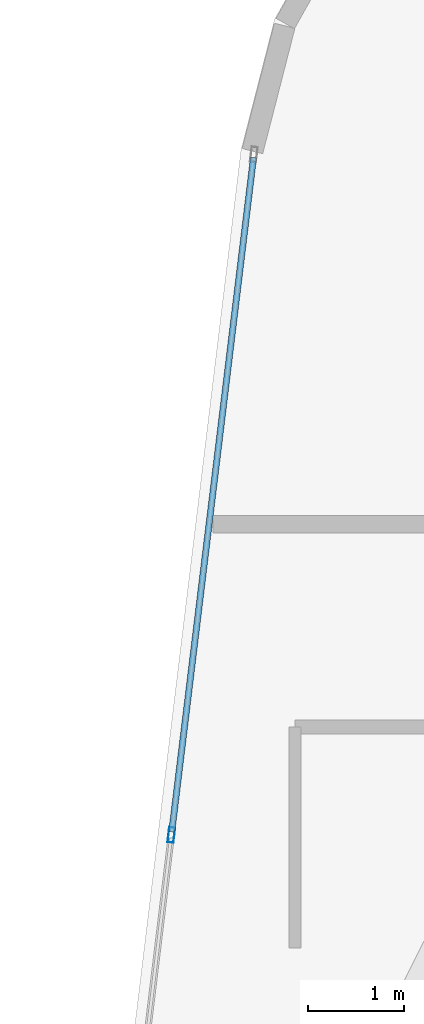
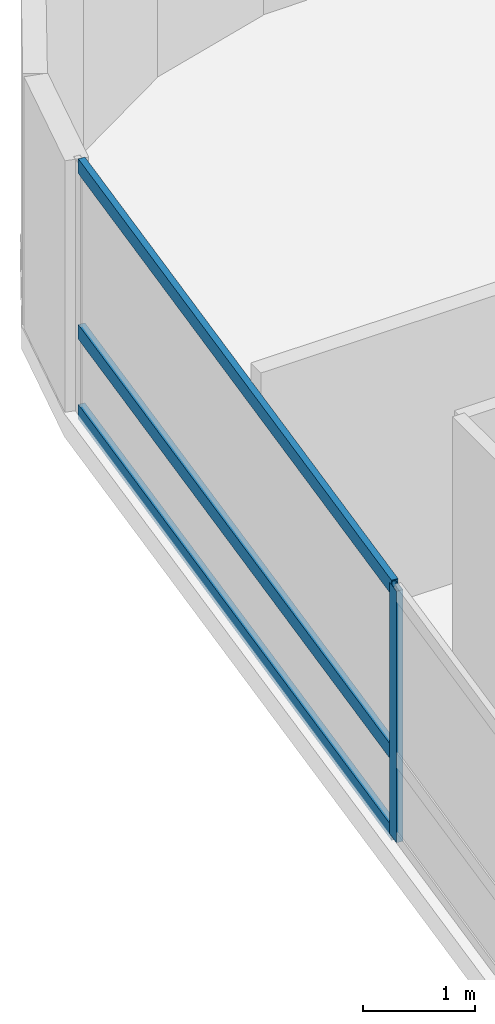
# One storey, part 10 of 26: 4 members, 1 element without a shape of its own.
"""IFC4 building model written with IfcOpenShell, lengths in metres."""

from ifc_helpers import new_model, si_unit, direction, frame, origin, origin_2d, place, context, subcontext, project, spatial, hollow_rectangle, extrude, material, layer, layer_set, material_profile, profile_set, type_object, element, aggregate, save


model = new_model("IFC4")

# Units and contexts
model_context = context("Model", 3, precision=1e-05, world=origin(), true_north=direction((0.0, 1.0)))
body_context = subcontext(model_context, "Body", "Model", "MODEL_VIEW")
ifc_project = project(units=[si_unit("LENGTHUNIT", "METRE"), si_unit("AREAUNIT", "SQUARE_METRE"), si_unit("VOLUMEUNIT", "CUBIC_METRE"), si_unit("PLANEANGLEUNIT", "RADIAN"), si_unit("MASSUNIT", "GRAM", prefix="KILO")], contexts=[model_context])

# Site, building, storey
site_placement = place(None, origin())
site = spatial("IfcSite", under=ifc_project, at=site_placement, CompositionType="ELEMENT")
building_placement = place(site_placement, origin())
building = spatial("IfcBuilding", under=site, at=building_placement, Name="Varnelok Gate Tower", CompositionType="ELEMENT")
storey_placement = place(building_placement, frame((0.0, 0.0, 155.0)))
storey = spatial("IfcBuildingStorey", under=building, at=storey_placement, Name="L39", CompositionType="ELEMENT", Elevation=155.0)

# Curtain wall, members
ifc_material = material(Name="Anodized Aluminum Alloy 6063-T6", Category="aluminium")
ifc_layer = layer(ifc_material, 0.179931640625)
ifc_layer_set = layer_set([ifc_layer], Name="Anodized Aluminum Alloy 6063-T6")
curtain_wall_type = type_object("IfcCurtainWallType", Name="CW3-HOTEL-VISION", PredefinedType="USERDEFINED", material=ifc_layer_set)
curtain_wall_placement = place(storey_placement, origin())
curtain_wall = element("IfcCurtainWall", 1, at=curtain_wall_placement, inside=storey, type_object=curtain_wall_type, Name="L39 West End Vision Curtain Wall", ObjectType="UNITISED CURTAIN WALL", PredefinedType="USERDEFINED")
ifc_material_profile_1 = material_profile(ifc_material, hollow_rectangle(XDim=0.06494140625, YDim=0.159912109375, WallThickness=0.00390625, at=origin_2d()), Name="ALU160X65X4")
ifc_profile_set_1 = profile_set([ifc_material_profile_1], Name="Anodized Aluminum Alloy 6063-T6")
member_type_1 = type_object("IfcMemberType", Name="CW-MULL-160", PredefinedType="MULLION", material=ifc_profile_set_1)
member_1_placement = place(storey_placement, frame((3.708984375, 40.4814453125, 0.0), z_axis=(0.0, 0.0, 1.0), x_axis=(-0.99273188146, 0.120347046212, 0.0)))
member_1 = element("IfcMember", 2, at=member_1_placement, type_object=member_type_1, Name="CW3 mullion 5", PredefinedType="MULLION", context=body_context, shape_type="SweptSolid", body=[
    extrude(hollow_rectangle(XDim=0.06494140625, YDim=0.159912109375, WallThickness=0.00390625, at=origin_2d()), origin(), (0.0, 0.0, 1.0), 2.72998046875),
])
ifc_material_profile_2 = material_profile(ifc_material, hollow_rectangle(XDim=0.06494140625, YDim=0.159912109375, WallThickness=0.00390625, at=origin_2d()), Name="ALU160X65X4")
ifc_profile_set_2 = profile_set([ifc_material_profile_2], Name="Anodized Aluminum Alloy 6063-T6")
member_type_2 = type_object("IfcMemberType", Name="CW-TRAN-160", PredefinedType="USERDEFINED", material=ifc_profile_set_2)
member_2_placement = place(storey_placement, frame((3.712890625, 40.513671875, 0.032470703125), z_axis=(0.120374481497, 0.992728555147, 0.0), x_axis=(-0.992728555147, 0.120374481497, 0.0)))
member_2 = element("IfcMember", 3, at=member_2_placement, type_object=member_type_2, Name="CW3 transom 5.1", ObjectType="TRANSOM", PredefinedType="USERDEFINED", context=body_context, shape_type="SweptSolid", body=[
    extrude(hollow_rectangle(XDim=0.06494140625, YDim=0.159912109375, WallThickness=0.00390625, at=origin_2d()), origin(), (0.0, 0.0, 1.0), 7.102783203125),
])
member_3_placement = place(storey_placement, frame((3.712890625, 40.513671875, 0.89990234375), z_axis=(0.120374481497, 0.992728555147, 0.0), x_axis=(-0.992728555147, 0.120374481497, 0.0)))
member_3 = element("IfcMember", 4, at=member_3_placement, type_object=member_type_2, Name="CW3 transom 5.2", ObjectType="TRANSOM", PredefinedType="USERDEFINED", context=body_context, shape_type="SweptSolid", body=[
    extrude(hollow_rectangle(XDim=0.06494140625, YDim=0.159912109375, WallThickness=0.00390625, at=origin_2d()), origin(), (0.0, 0.0, 1.0), 7.102783203125),
])
member_4_placement = place(storey_placement, frame((3.712890625, 40.513671875, 2.697509765625), z_axis=(0.120374481497, 0.992728555147, 0.0), x_axis=(-0.992728555147, 0.120374481497, 0.0)))
member_4 = element("IfcMember", 5, at=member_4_placement, type_object=member_type_2, Name="CW3 transom 5.3", ObjectType="TRANSOM", PredefinedType="USERDEFINED", context=body_context, shape_type="SweptSolid", body=[
    extrude(hollow_rectangle(XDim=0.06494140625, YDim=0.159912109375, WallThickness=0.00390625, at=origin_2d()), origin(), (0.0, 0.0, 1.0), 7.102783203125),
])
aggregate(curtain_wall, [member_1, member_2, member_3, member_4])

save(model, "model.ifc")
